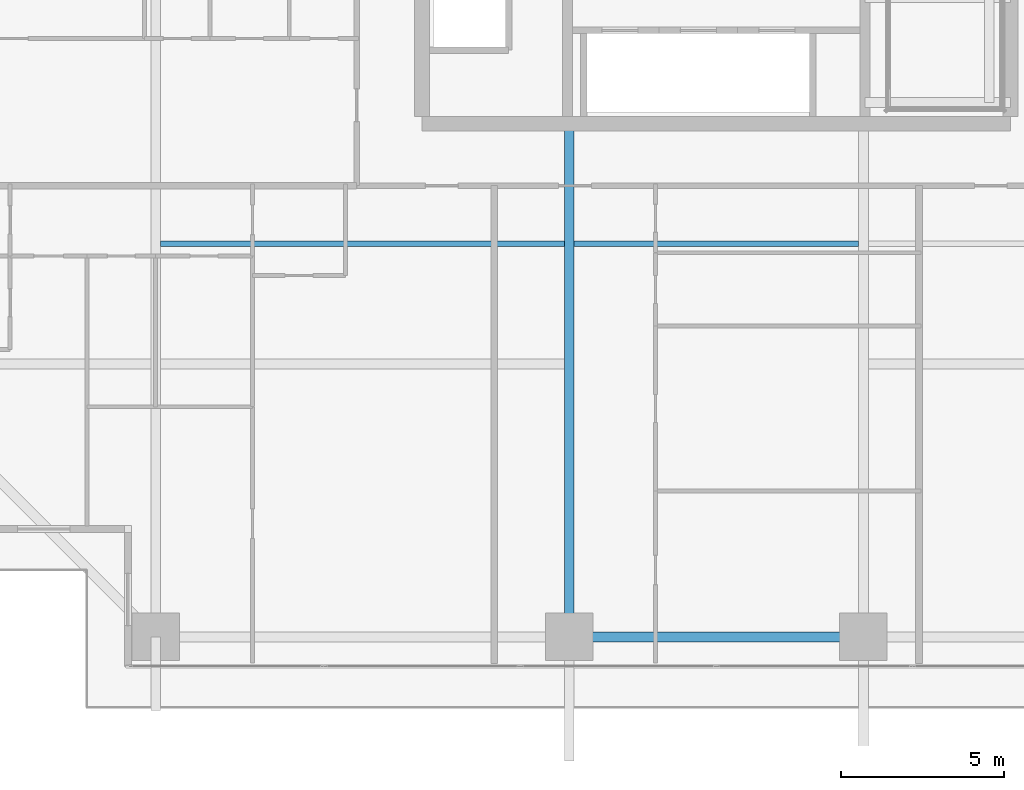
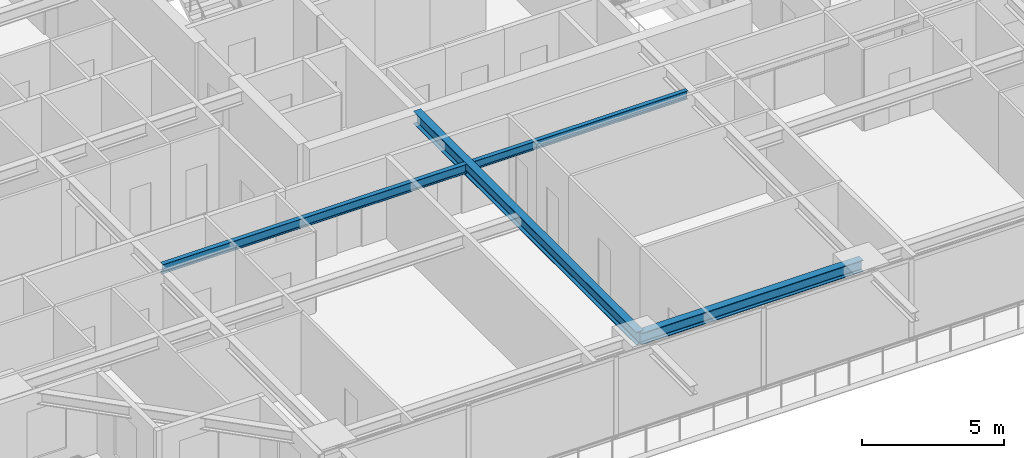
# One storey, part 5 of 35: 4 beams.
"""IFC4 building model written with IfcOpenShell, lengths in metres."""

from ifc_helpers import new_model, si_unit, direction, frame, origin, origin_2d, place, context, subcontext, project, spatial, i_section, extrude, source, transform, mapped, material, material_profile, profile_set, type_object, element, save


model = new_model("IFC4")

# Units and contexts
model_context = context("Model", 3, precision=1e-05, world=origin(), true_north=direction((0.0, 1.0)))
body_context = subcontext(model_context, "Body", "Model", "MODEL_VIEW")
ifc_project = project(units=[si_unit("LENGTHUNIT", "METRE"), si_unit("AREAUNIT", "SQUARE_METRE"), si_unit("VOLUMEUNIT", "CUBIC_METRE"), si_unit("PLANEANGLEUNIT", "RADIAN"), si_unit("MASSUNIT", "GRAM", prefix="KILO")], contexts=[model_context])

# Site, building, storey
site_placement = place(None, origin())
site = spatial("IfcSite", under=ifc_project, at=site_placement, CompositionType="ELEMENT")
building_placement = place(site_placement, origin())
building = spatial("IfcBuilding", under=site, at=building_placement, Name="Serunith Strait Residences", CompositionType="ELEMENT")
storey_placement = place(building_placement, frame((0.0, 0.0, 71.699951171875)))
storey = spatial("IfcBuildingStorey", under=building, at=storey_placement, Name="L17", CompositionType="ELEMENT", Elevation=71.699951171875)

# Beams
ifc_material = material(Name="Steel S355J2", Category="steel")
ifc_material_profile_1 = material_profile(ifc_material, i_section(OverallWidth=0.300048828125, OverallDepth=0.550048828125, WebThickness=0.014892578125, FlangeThickness=0.029052734375, FilletRadius=0.027099609375, at=origin_2d()), Name="HEB 550")
ifc_profile_set_1 = profile_set([ifc_material_profile_1], Name="Steel S355J2")
beam_type_1 = type_object("IfcBeamType", Name="BM-HEB550", PredefinedType="BEAM", material=ifc_profile_set_1)
shared_shape_1 = source(origin(), body_context, "Body", "SweptSolid", [
    extrude(i_section(OverallWidth=0.300048828125, OverallDepth=0.550048828125, WebThickness=0.014892578125, FlangeThickness=0.029052734375, FilletRadius=0.027099609375, at=origin_2d()), origin(), (0.0, 0.0, 1.0), 15.699951171875),
])
beam_1_placement = place(storey_placement, frame((27.89990234375, 16.800048828125, 3.212158203125), z_axis=(0.0, -1.0, 0.0), x_axis=(1.0, 0.0, 0.0)))
element("IfcBeam", 1, at=beam_1_placement, inside=storey, type_object=beam_type_1, Name="L17 Primary Floor Girder TC-S2", PredefinedType="BEAM", context=body_context, shape_type="MappedRepresentation", body=[
    mapped(shared_shape_1, transform((0.0, 0.0, 0.0), scale=1.0)),
])
ifc_material_profile_2 = material_profile(ifc_material, i_section(OverallWidth=0.300048828125, OverallDepth=0.5, WebThickness=0.014404296875, FlangeThickness=0.028076171875, FilletRadius=0.027099609375, at=origin_2d()), Name="HEB 500")
ifc_profile_set_2 = profile_set([ifc_material_profile_2], Name="Steel S355J2")
beam_type_2 = type_object("IfcBeamType", Name="BM-HEB500", PredefinedType="BEAM", material=ifc_profile_set_2)
shared_shape_2 = source(origin(), body_context, "Body", "SweptSolid", [
    extrude(i_section(OverallWidth=0.300048828125, OverallDepth=0.5, WebThickness=0.014404296875, FlangeThickness=0.028076171875, FilletRadius=0.027099609375, at=origin_2d()), origin(), (0.0, 0.0, 1.0), 9.0),
])
beam_2_placement = place(storey_placement, frame((27.89990234375, 1.10009765625, 3.237060546875), z_axis=(1.0, 0.0, 0.0), x_axis=(0.0, 1.0, 0.0)))
element("IfcBeam", 2, at=beam_2_placement, inside=storey, type_object=beam_type_2, Name="L17 Perimeter Ring Beam 02", PredefinedType="BEAM", context=body_context, shape_type="MappedRepresentation", body=[
    mapped(shared_shape_2, transform((0.0, 0.0, 0.0), scale=1.0)),
])
ifc_material_profile_3 = material_profile(ifc_material, i_section(OverallWidth=0.179931640625, OverallDepth=0.39990234375, WebThickness=0.008544921875, FlangeThickness=0.013427734375, FilletRadius=0.02099609375, at=origin_2d()), Name="IPE 400")
ifc_profile_set_3 = profile_set([ifc_material_profile_3], Name="Steel S355J2")
beam_type_3 = type_object("IfcBeamType", Name="BM-IPE400", PredefinedType="JOIST", material=ifc_profile_set_3)
shared_shape_3 = source(origin(), body_context, "Body", "SweptSolid", [
    extrude(i_section(OverallWidth=0.179931640625, OverallDepth=0.39990234375, WebThickness=0.008544921875, FlangeThickness=0.013427734375, FilletRadius=0.02099609375, at=origin_2d()), origin(), (0.0, 0.0, 1.0), 12.35009765625),
])
beam_3_placement = place(storey_placement, frame((15.39990234375, 13.125, 3.287109375), z_axis=(1.0, 0.0, 0.0), x_axis=(0.0, 1.0, 0.0)))
element("IfcBeam", 3, at=beam_3_placement, inside=storey, type_object=beam_type_3, Name="L17 Composite Floor Joist 01", PredefinedType="JOIST", context=body_context, shape_type="MappedRepresentation", body=[
    mapped(shared_shape_3, transform((0.0, 0.0, 0.0), scale=1.0)),
])
ifc_material_profile_4 = material_profile(ifc_material, i_section(OverallWidth=0.169921875, OverallDepth=0.360107421875, WebThickness=0.008056640625, FlangeThickness=0.0126953125, FilletRadius=0.01806640625, at=origin_2d()), Name="IPE 360")
ifc_profile_set_4 = profile_set([ifc_material_profile_4], Name="Steel S355J2")
beam_type_4 = type_object("IfcBeamType", Name="BM-IPE360", PredefinedType="JOIST", material=ifc_profile_set_4)
shared_shape_4 = source(origin(), body_context, "Body", "SweptSolid", [
    extrude(i_section(OverallWidth=0.169921875, OverallDepth=0.360107421875, WebThickness=0.008056640625, FlangeThickness=0.0126953125, FilletRadius=0.01806640625, at=origin_2d()), origin(), (0.0, 0.0, 1.0), 8.699951171875),
])
beam_4_placement = place(storey_placement, frame((28.050048828125, 13.125, 3.30712890625), z_axis=(1.0, 0.0, 0.0), x_axis=(0.0, 1.0, 0.0)))
element("IfcBeam", 4, at=beam_4_placement, inside=storey, type_object=beam_type_4, Name="L17 Composite Floor Joist 02", PredefinedType="JOIST", context=body_context, shape_type="MappedRepresentation", body=[
    mapped(shared_shape_4, transform((0.0, 0.0, 0.0), scale=1.0)),
])

save(model, "model.ifc")
